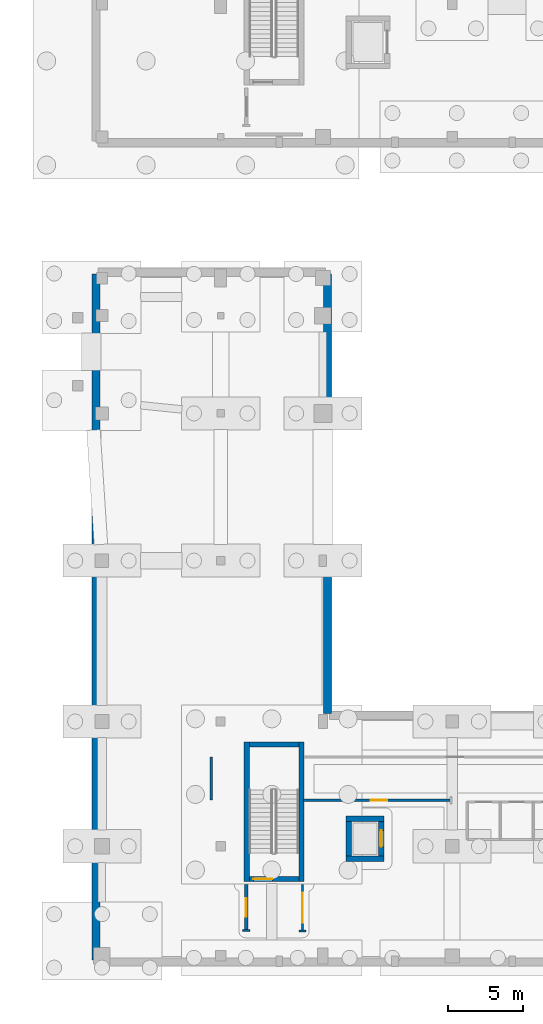
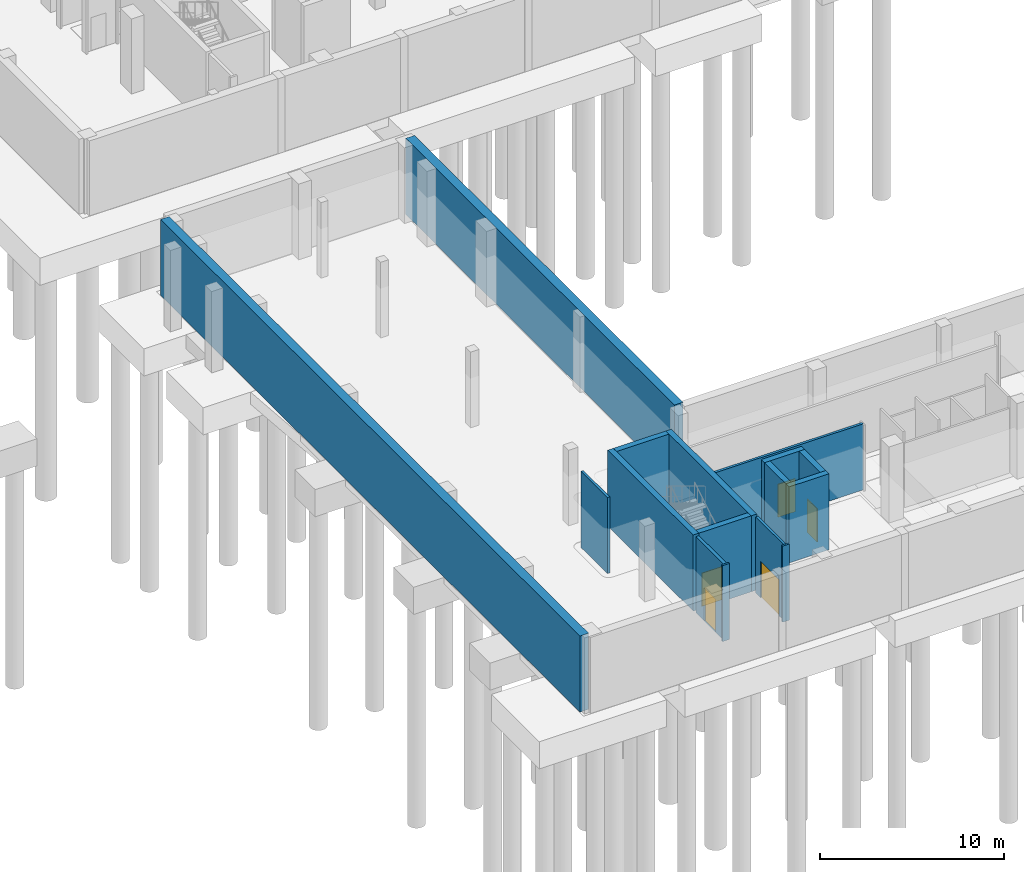
# One storey, part 11 of 33: 16 walls, 5 doors, 5 openings.
"""IFC4 building model written with IfcOpenShell, lengths in metres."""

import ifcopenshell
import ifcopenshell.guid

model = None  # the IFC model being written
_history = None  # IfcOwnerHistory: only IFC2X3 demands one
_inside = {}  # id of a spatial element -> (the spatial element, [elements in it])
_under = {}  # id of a project, library or spatial element -> (it, [spatial elements below it])
_declared = {}  # id of a project -> (the project, [libraries it declares])
_typed = {}  # id of a type object -> (the type object, [elements of that type])
_made_of = {}  # id of a material, layer set ... -> (it, [elements and type objects made of it])


def new_model(schema):
    """Start an empty IFC model of exactly this schema.

    Asked for "IFC4X3", IfcOpenShell would pick the latest addendum, in which some entities
    have other attributes; the version numbers below select the first issue.
    IFC2X3 requires an IfcOwnerHistory on every rooted entity: one is made here for all.
    """
    global model, _history
    if schema == "IFC4X3":
        model = ifcopenshell.file(schema_version=(4, 3, 0, 0))
    else:
        model = ifcopenshell.file(schema=schema)
    _inside.clear()
    _under.clear()
    _declared.clear()
    _typed.clear()
    _made_of.clear()
    _history = None
    if model.schema == "IFC2X3":
        org = make("IfcOrganization", Name="unknown")
        user = make(
            "IfcPersonAndOrganization",
            ThePerson=make("IfcPerson", FamilyName="unknown"),
            TheOrganization=org,
        )
        app = make(
            "IfcApplication",
            ApplicationDeveloper=org,
            Version="unknown",
            ApplicationFullName="unknown",
            ApplicationIdentifier="unknown",
        )
        _history = make(
            "IfcOwnerHistory",
            OwningUser=user,
            OwningApplication=app,
            ChangeAction="ADDED",
            CreationDate=0,
        )
    return model


def make(cls, **values):
    """One entity of the class cls with the attributes given. An attribute that is None is left unset."""
    return model.create_entity(
        cls, **{name: value for name, value in values.items() if value is not None}
    )


def rooted(cls, **values):
    """An entity with a GlobalId (a new one), such as an element, a storey or a relation."""
    return make(cls, GlobalId=ifcopenshell.guid.new(), OwnerHistory=_history, **values)


def si_unit(unit_type, name, prefix=None):
    """IfcSIUnit, for example si_unit("LENGTHUNIT", "METRE", prefix="MILLI")."""
    return make("IfcSIUnit", UnitType=unit_type, Prefix=prefix, Name=name)


def assignment(units):
    """IfcUnitAssignment: the units of a project."""
    return None if units is None else make("IfcUnitAssignment", Units=units)


def point(xyz):
    """IfcCartesianPoint."""
    return None if xyz is None else make("IfcCartesianPoint", Coordinates=xyz)


def direction(xyz):
    """IfcDirection."""
    return None if xyz is None else make("IfcDirection", DirectionRatios=xyz)


def frame(location, z_axis=None, x_axis=None):
    """IfcAxis2Placement3D, a coordinate frame: its origin and axes. An axis left out is left unset."""
    return make(
        "IfcAxis2Placement3D",
        Location=point(location),
        Axis=direction(z_axis),
        RefDirection=direction(x_axis),
    )


def frame_2d(location, x_axis=None):
    """IfcAxis2Placement2D, a coordinate frame in the plane: its origin and x axis."""
    return make(
        "IfcAxis2Placement2D", Location=point(location), RefDirection=direction(x_axis)
    )


def origin():
    """The frame at (0, 0, 0) with its axes left unset."""
    return frame((0.0, 0.0, 0.0))


def place(relative_to, where):
    """IfcLocalPlacement: puts the frame where relative to a parent placement (None: the world)."""
    return make(
        "IfcLocalPlacement", PlacementRelTo=relative_to, RelativePlacement=where
    )


def context(
    kind, dimensions, precision=None, world=None, true_north=None, identifier=None
):
    """IfcGeometricRepresentationContext, for example the 3D "Model" context."""
    return make(
        "IfcGeometricRepresentationContext",
        ContextIdentifier=identifier,
        ContextType=kind,
        CoordinateSpaceDimension=dimensions,
        Precision=precision,
        WorldCoordinateSystem=world,
        TrueNorth=true_north,
    )


def subcontext(parent, identifier, kind, view, scale=None):
    """IfcGeometricRepresentationSubContext, for example "Body" below "Model"."""
    return make(
        "IfcGeometricRepresentationSubContext",
        ContextIdentifier=identifier,
        ContextType=kind,
        ParentContext=parent,
        TargetScale=scale,
        TargetView=view,
    )


def project(units=None, contexts=None):
    """IfcProject with its units and contexts."""
    return rooted(
        "IfcProject",
        Name="project",
        RepresentationContexts=contexts,
        UnitsInContext=assignment(units),
    )


def spatial(cls, under=None, at=None, **own):
    """A site, building, storey or space (cls), placed at a placement, below another one or the project."""
    s = rooted(cls, ObjectPlacement=at, **own)
    if under is not None:
        _under.setdefault(under.id(), (under, []))[1].append(s)
    return s


def profile(cls, at=None, kind="AREA", **sizes):
    """A parametric profile (cls). Its sizes go by their IFC names, for example OverallWidth=200.0."""
    return make(cls, ProfileType=kind, Position=at, **sizes)


def rectangle(**sizes):
    """IfcRectangleProfileDef."""
    return profile("IfcRectangleProfileDef", **sizes)


def extrude(swept, where, along, depth):
    """IfcExtrudedAreaSolid: the profile swept, set in the frame where, extruded along a direction by depth."""
    return make(
        "IfcExtrudedAreaSolid",
        SweptArea=swept,
        Position=where,
        ExtrudedDirection=direction(along),
        Depth=depth,
    )


def shape(context_of_items, identifier, shape_type, items):
    """IfcShapeRepresentation: the items that make up one representation, for example the "Body"."""
    return make(
        "IfcShapeRepresentation",
        ContextOfItems=context_of_items,
        RepresentationIdentifier=identifier,
        RepresentationType=shape_type,
        Items=items,
    )


def material(Name=None, Category=None):
    """IfcMaterial."""
    return make("IfcMaterial", Name=Name, Category=Category)


def layer(
    of_material, thickness, ventilated=None, Name=None, Category=None, Priority=None
):
    """IfcMaterialLayer: one layer of a wall or slab, of a material (None: an air gap)."""
    return make(
        "IfcMaterialLayer",
        Material=of_material,
        LayerThickness=thickness,
        IsVentilated=ventilated,
        Name=Name,
        Category=Category,
        Priority=Priority,
    )


def layer_set(layers, Name=None):
    """IfcMaterialLayerSet."""
    return make("IfcMaterialLayerSet", MaterialLayers=layers, LayerSetName=Name)


def made_of(thing, what):
    """Note that an element or type object is made of a material, layer set ...; save() writes the relation."""
    if what is not None:
        _made_of.setdefault(what.id(), (what, []))[1].append(thing)
    return thing


def type_object(cls, material=None, **own):
    """A type object (cls), such as IfcWallType, which elements share."""
    return made_of(rooted(cls, **own), material)


def element(
    cls,
    number,
    at=None,
    inside=None,
    cuts=None,
    type_object=None,
    material=None,
    context=None,
    identifier="Body",
    shape_type=None,
    held_by="IfcProductDefinitionShape",
    body=None,
    shapes=None,
    **own,
):
    """One element of the class cls, such as IfcWall. Its Tag is "e" and its number.

    at: its placement. inside: the storey or other place that contains it. cuts: it is an
    opening in that element (IfcRelVoidsElement). A single representation is given by context,
    identifier, shape_type and body (its items); several are given by shapes. held_by: the class
    of the entity that holds the representations. save() writes the other relations.
    """
    e = rooted(cls, Tag="e%d" % number, ObjectPlacement=at, **own)
    if body is not None:
        shapes = [shape(context, identifier, shape_type, body)]
    if shapes is not None:
        e.Representation = make(held_by, Representations=shapes)
    if inside is not None:
        _inside.setdefault(inside.id(), (inside, []))[1].append(e)
    if cuts is not None:
        rooted(
            "IfcRelVoidsElement", RelatingBuildingElement=cuts, RelatedOpeningElement=e
        )
    if type_object is not None:
        _typed.setdefault(type_object.id(), (type_object, []))[1].append(e)
    return made_of(e, material)


def fill(opening, filler):
    """IfcRelFillsElement: the door or window that sits in an opening."""
    return rooted(
        "IfcRelFillsElement",
        RelatingOpeningElement=opening,
        RelatedBuildingElement=filler,
    )


def aggregate(whole, parts):
    """IfcRelAggregates: a whole, such as a stair, and the parts it consists of."""
    return rooted("IfcRelAggregates", RelatingObject=whole, RelatedObjects=parts)


def save(model, path):
    """Write the relations noted so far, then the file.

    IfcRelAggregates (storeys below a building ...), IfcRelContainedInSpatialStructure (elements
    in a storey), IfcRelDefinesByType, IfcRelAssociatesMaterial and IfcRelDeclares: one each for
    every whole, place, type object, material and project.
    """
    for whole, parts in _under.values():
        aggregate(whole, parts)
    for where, things in _inside.values():
        rooted(
            "IfcRelContainedInSpatialStructure",
            RelatedElements=things,
            RelatingStructure=where,
        )
    for kind, things in _typed.values():
        rooted("IfcRelDefinesByType", RelatedObjects=things, RelatingType=kind)
    for what, things in _made_of.values():
        rooted("IfcRelAssociatesMaterial", RelatedObjects=things, RelatingMaterial=what)
    for by, libraries in _declared.values():
        rooted("IfcRelDeclares", RelatingContext=by, RelatedDefinitions=libraries)
    model.write(path)


model = new_model("IFC4")

# Units and contexts
model_context = context("Model", 3, precision=1e-05, world=origin(), true_north=direction((0.0, 1.0)))
body_context = subcontext(model_context, "Body", "Model", "MODEL_VIEW")
ifc_project = project(units=[si_unit("LENGTHUNIT", "METRE"), si_unit("AREAUNIT", "SQUARE_METRE"), si_unit("VOLUMEUNIT", "CUBIC_METRE"), si_unit("PLANEANGLEUNIT", "RADIAN"), si_unit("MASSUNIT", "GRAM", prefix="KILO")], contexts=[model_context])

# Site, building, storey
site_placement = place(None, origin())
site = spatial("IfcSite", under=ifc_project, at=site_placement, CompositionType="ELEMENT")
building_placement = place(site_placement, origin())
building = spatial("IfcBuilding", under=site, at=building_placement, Name="Soyqirgoq Riverine Aquarium", CompositionType="ELEMENT")
storey_placement = place(building_placement, frame((0.0, 0.0, -5.39990234375)))
storey = spatial("IfcBuildingStorey", under=building, at=storey_placement, Name="B01", CompositionType="ELEMENT", Elevation=-5.39990234375)

# Walls
ifc_material_1 = material(Name="Concrete C40/50", Category="concrete")
ifc_layer_1 = layer(ifc_material_1, 0.35009765625)
ifc_layer_set_1 = layer_set([ifc_layer_1], Name="Concrete C40/50")
wall_type_1 = type_object("IfcWallType", Name="CoreShearWall_350_C40", PredefinedType="SHEAR", material=ifc_layer_set_1)
wall_1_placement = place(storey_placement, frame((127.97509765625, 7.14990234375, 0.0), z_axis=(0.0, 0.0, 1.0), x_axis=(0.0, 1.0, 0.0)))
element("IfcWall", 1, at=wall_1_placement, inside=storey, type_object=wall_type_1, Name="CORE-6 B01 Stair Core Shear Wall SIDE1", PredefinedType="SHEAR", context=body_context, shape_type="SweptSolid", body=[
    extrude(rectangle(XDim=9.300048828125, YDim=0.35009765625, at=frame_2d((4.64990234375, 0.0))), origin(), (0.0, 0.0, 1.0), 5.0498046875),
])
wall_2_placement = place(storey_placement, frame((127.800048828125, 16.27490234375, 0.0), z_axis=(0.0, 0.0, 1.0), x_axis=(-1.0, 0.0, 0.0)))
element("IfcWall", 2, at=wall_2_placement, inside=storey, type_object=wall_type_1, Name="CORE-6 B01 Stair Core Shear Wall BACK", PredefinedType="SHEAR", context=body_context, shape_type="SweptSolid", body=[
    extrude(rectangle(XDim=3.300048828125, YDim=0.35009765625, at=frame_2d((1.64990234375, 0.0))), origin(), (0.0, 0.0, 1.0), 5.0498046875),
])
wall_3_placement = place(storey_placement, frame((124.324951171875, 16.449951171875, 0.0), z_axis=(0.0, 0.0, 1.0), x_axis=(0.0, -1.0, 0.0)))
element("IfcWall", 3, at=wall_3_placement, inside=storey, type_object=wall_type_1, Name="CORE-6 B01 Stair Core Shear Wall SIDE2", PredefinedType="SHEAR", context=body_context, shape_type="SweptSolid", body=[
    extrude(rectangle(XDim=9.300048828125, YDim=0.35009765625, at=frame_2d((4.64990234375, 0.0))), origin(), (0.0, 0.0, 1.0), 5.0498046875),
])

# Wall, opening, door
wall_4_placement = place(storey_placement, frame((124.5, 7.324951171875, 0.0), z_axis=(0.0, 0.0, 1.0), x_axis=(1.0, 0.0, 0.0)))
wall_4 = element("IfcWall", 4, at=wall_4_placement, inside=storey, type_object=wall_type_1, Name="CORE-6 B01 Stair Core Shear Wall FRONT", PredefinedType="SHEAR", context=body_context, shape_type="SweptSolid", body=[
    extrude(rectangle(XDim=3.300048828125, YDim=0.35009765625, at=frame_2d((1.64990234375, 0.0))), origin(), (0.0, 0.0, 1.0), 5.0498046875),
])
opening_1_placement = place(wall_4_placement, frame((0.280029296875, 0.0, 0.0)))
opening_1 = element("IfcOpeningElement", 5, at=opening_1_placement, cuts=wall_4, Name="Opening FD-01", PredefinedType="OPENING", context=body_context, shape_type="SweptSolid", body=[
    extrude(rectangle(XDim=1.25, YDim=2.199951171875, at=frame_2d((0.625, 1.10009765625))), frame((0.0, 0.18505859375, 0.0), z_axis=(0.0, -1.0, 0.0), x_axis=(1.0, 0.0, 0.0)), (0.0, 0.0, 1.0), 0.3701171875),
])
ifc_material_2 = material(Name="Galvanised steel fire-resisting stair door", Category="steel")
door_type_1 = type_object("IfcDoorType", Name="StairFireDoor_1250x2200_EI90", OperationType="NOTDEFINED", PredefinedType="DOOR", material=ifc_material_2)
door_1_placement = place(opening_1_placement, origin())
door_1 = element("IfcDoor", 6, at=door_1_placement, inside=storey, type_object=door_type_1, Name="DR-ST-7-B01 ST-7 B01 Fire-Rated Stairwell Door", OperationType="SINGLE_SWING_LEFT", OverallHeight=2.199951171875, OverallWidth=1.25, PredefinedType="DOOR", context=body_context, shape_type="SweptSolid", body=[
    extrude(rectangle(XDim=1.25, YDim=2.199951171875, at=frame_2d((0.625, 1.10009765625))), frame((0.0, 0.02490234375, 0.0), z_axis=(0.0, -1.0, 0.0), x_axis=(1.0, 0.0, 0.0)), (0.0, 0.0, 1.0), 0.050048828125),
])
fill(opening_1, door_1)

# Wall
wall_5_placement = place(storey_placement, frame((130.945068359375, 8.669921875, 0.0), z_axis=(0.0, 0.0, 1.0), x_axis=(1.0, 0.0, 0.0)))
element("IfcWall", 7, at=wall_5_placement, inside=storey, type_object=wall_type_1, Name="Lift PL-4 Shaft Wall B01 1", PredefinedType="SHEAR", context=body_context, shape_type="SweptSolid", body=[
    extrude(rectangle(XDim=2.510009765625, YDim=0.35009765625, at=frame_2d((1.2548828125, 0.0))), origin(), (0.0, 0.0, 1.0), 5.0498046875),
])

# Wall, opening, door
wall_6_placement = place(storey_placement, frame((133.280029296875, 8.844970703125, 0.0), z_axis=(0.0, 0.0, 1.0), x_axis=(0.0, 1.0, 0.0)))
wall_6 = element("IfcWall", 8, at=wall_6_placement, inside=storey, type_object=wall_type_1, Name="Lift PL-4 Shaft Wall B01 2", PredefinedType="SHEAR", context=body_context, shape_type="SweptSolid", body=[
    extrude(rectangle(XDim=2.31005859375, YDim=0.35009765625, at=frame_2d((1.155029296875, 0.0))), origin(), (0.0, 0.0, 1.0), 5.0498046875),
])
opening_2_placement = place(wall_6_placement, frame((0.60498046875, 0.0, 0.0)))
opening_2 = element("IfcOpeningElement", 9, at=opening_2_placement, cuts=wall_6, Name="Opening LD-01", PredefinedType="OPENING", context=body_context, shape_type="SweptSolid", body=[
    extrude(rectangle(XDim=1.10009765625, YDim=2.199951171875, at=frame_2d((0.550048828125, 1.10009765625))), frame((0.0, 0.18505859375, 0.0), z_axis=(0.0, -1.0, 0.0), x_axis=(1.0, 0.0, 0.0)), (0.0, 0.0, 1.0), 0.3701171875),
])
ifc_material_3 = material(Name="Brushed stainless steel telescopic lift landing door", Category="steel")
door_type_2 = type_object("IfcDoorType", Name="LiftLandingDoor_1100x2200", OperationType="SLIDING_TO_LEFT", PredefinedType="DOOR", material=ifc_material_3)
door_2_placement = place(opening_2_placement, origin())
door_2 = element("IfcDoor", 10, at=door_2_placement, inside=storey, type_object=door_type_2, Name="LD-PL-4-B01 Lift PL-4 B01 Sliding Landing Door", OperationType="SLIDING_TO_LEFT", OverallHeight=2.199951171875, OverallWidth=1.10009765625, PredefinedType="DOOR", context=body_context, shape_type="SweptSolid", body=[
    extrude(rectangle(XDim=1.10009765625, YDim=2.199951171875, at=frame_2d((0.550048828125, 1.10009765625))), frame((0.0, 0.02490234375, 0.0), z_axis=(0.0, -1.0, 0.0), x_axis=(1.0, 0.0, 0.0)), (0.0, 0.0, 1.0), 0.050048828125),
])
fill(opening_2, door_2)

# Walls
wall_7_placement = place(storey_placement, frame((133.455078125, 11.330078125, 0.0), z_axis=(0.0, 0.0, 1.0), x_axis=(-1.0, 0.0, 0.0)))
element("IfcWall", 11, at=wall_7_placement, inside=storey, type_object=wall_type_1, Name="Lift PL-4 Shaft Wall B01 3", PredefinedType="SHEAR", context=body_context, shape_type="SweptSolid", body=[
    extrude(rectangle(XDim=2.510009765625, YDim=0.35009765625, at=frame_2d((1.2548828125, 0.0))), origin(), (0.0, 0.0, 1.0), 5.0498046875),
])
wall_8_placement = place(storey_placement, frame((131.1201171875, 11.155029296875, 0.0), z_axis=(0.0, 0.0, 1.0), x_axis=(0.0, -1.0, 0.0)))
element("IfcWall", 12, at=wall_8_placement, inside=storey, type_object=wall_type_1, Name="Lift PL-4 Shaft Wall B01 4", PredefinedType="SHEAR", context=body_context, shape_type="SweptSolid", body=[
    extrude(rectangle(XDim=2.31005859375, YDim=0.35009765625, at=frame_2d((1.155029296875, 0.0))), origin(), (0.0, 0.0, 1.0), 5.0498046875),
])
ifc_material_4 = material(Name="Lightweight steel-stud gypsum partition", Category="steel")
ifc_layer_2 = layer(ifc_material_4, 0.1201171875)
ifc_layer_set_2 = layer_set([ifc_layer_2], Name="Lightweight steel-stud gypsum partition")
wall_type_2 = type_object("IfcWallType", Name="PartitionWall_120_Std", PredefinedType="PARTITIONING", material=ifc_layer_set_2)
for number, where, z_axis, x_axis, name in (
    (13, (124.080078125, 3.89990234375, 0.0), (0.0, 0.0, 1.0), (1.0, 0.0, 0.0), "V6 B01 Jamb Return Pier"),
    (14, (127.820068359375, 3.860107421875, 0.0), (0.0, 0.0, 1.0), (1.0, 0.0, 0.0), "V6 B01 Jamb Return Pier"),
):
    element("IfcWall", number, at=place(storey_placement, frame(where, z_axis=z_axis, x_axis=x_axis)), inside=storey, type_object=wall_type_2, Name=name, PredefinedType="PARTITIONING", context=body_context, shape_type="SweptSolid", body=[
        extrude(rectangle(XDim=0.43994140625, YDim=0.1201171875, at=frame_2d((0.219970703125, 0.0))), origin(), (0.0, 0.0, 1.0), 5.0498046875),
    ])

# Wall, opening, door
ifc_material_5 = material(Name="Fire-rated acoustic gypsum stud partition", Category="gypsum")
ifc_layer_3 = layer(ifc_material_5, 0.159912109375)
ifc_layer_set_3 = layer_set([ifc_layer_3], Name="Fire-rated acoustic gypsum stud partition")
wall_type_3 = type_object("IfcWallType", Name="PartitionWall_160_EI60", PredefinedType="PARTITIONING", material=ifc_layer_set_3)
wall_9_placement = place(storey_placement, frame((137.919921875, 12.56005859375, 0.0), z_axis=(0.0, 0.0, 1.0), x_axis=(-1.0, 0.0, 0.0)))
wall_9 = element("IfcWall", 15, at=wall_9_placement, inside=storey, type_object=wall_type_3, Name="Stagecraft Technical Workshop Partition Wall", PredefinedType="PARTITIONING", context=body_context, shape_type="SweptSolid", body=[
    extrude(rectangle(XDim=9.824951171875, YDim=0.159912109375, at=frame_2d((4.91259765625, 0.0))), origin(), (0.0, 0.0, 1.0), 4.389892578125),
])
opening_3_placement = place(wall_9_placement, frame((4.235107421875, 0.0, 0.0)))
opening_3 = element("IfcOpeningElement", 16, at=opening_3_placement, cuts=wall_9, Name="Opening ID-04", PredefinedType="OPENING", context=body_context, shape_type="SweptSolid", body=[
    extrude(rectangle(XDim=1.10009765625, YDim=2.199951171875, at=frame_2d((0.550048828125, 1.10009765625))), frame((0.0, 0.08984375, 0.0), z_axis=(0.0, -1.0, 0.0), x_axis=(1.0, 0.0, 0.0)), (0.0, 0.0, 1.0), 0.179931640625),
])
ifc_material_6 = material(Name="Chemical-resistant HPL fire-rated laboratory door", Category="wood")
door_type_3 = type_object("IfcDoorType", Name="LabDoor_1100x2200_EI60", OperationType="NOTDEFINED", PredefinedType="DOOR", material=ifc_material_6)
door_3_placement = place(opening_3_placement, origin())
door_3 = element("IfcDoor", 17, at=door_3_placement, inside=storey, type_object=door_type_3, Name="IDR-V6-B01-0176 Education Basement Corridor Door", OperationType="SINGLE_SWING_LEFT", OverallHeight=2.199951171875, OverallWidth=1.10009765625, PredefinedType="DOOR", context=body_context, shape_type="SweptSolid", body=[
    extrude(rectangle(XDim=1.10009765625, YDim=2.199951171875, at=frame_2d((0.550048828125, 1.10009765625))), frame((0.0, 0.02490234375, 0.0), z_axis=(0.0, -1.0, 0.0), x_axis=(1.0, 0.0, 0.0)), (0.0, 0.0, 1.0), 0.050048828125),
])
fill(opening_3, door_3)

wall_10_placement = place(storey_placement, frame((128.0400390625, 6.949951171875, 0.0), z_axis=(0.0, 0.0, 1.0), x_axis=(0.0, -1.0, 0.0)))
wall_10 = element("IfcWall", 18, at=wall_10_placement, inside=storey, type_object=wall_type_3, Name="Stagecraft Technical Workshop Partition Wall", PredefinedType="PARTITIONING", context=body_context, shape_type="SweptSolid", body=[
    extrude(rectangle(XDim=3.08984375, YDim=0.159912109375, at=frame_2d((1.544921875, 0.0))), origin(), (0.0, 0.0, 1.0), 5.0498046875),
])
opening_4_placement = place(wall_10_placement, frame((0.544921875, 0.0, 0.0)))
opening_4 = element("IfcOpeningElement", 19, at=opening_4_placement, cuts=wall_10, Name="Opening ID-02", PredefinedType="OPENING", context=body_context, shape_type="SweptSolid", body=[
    extrude(rectangle(XDim=2.0, YDim=2.39990234375, at=frame_2d((1.0, 1.199951171875))), frame((0.0, 0.08984375, 0.0), z_axis=(0.0, -1.0, 0.0), x_axis=(1.0, 0.0, 0.0)), (0.0, 0.0, 1.0), 0.179931640625),
])
ifc_material_7 = material(Name="Acoustic solid oak auditorium double door", Category="wood")
door_type_4 = type_object("IfcDoorType", Name="AuditoriumDoubleDoor_2000x2400", OperationType="DOUBLE_DOOR_DOUBLE_SWING", PredefinedType="DOOR", material=ifc_material_7)
door_4_placement = place(opening_4_placement, origin())
door_4 = element("IfcDoor", 20, at=door_4_placement, inside=storey, type_object=door_type_4, Name="IDR-V6-B01-0177 Stagecraft Technical Workshop Door", OperationType="DOUBLE_DOOR_DOUBLE_SWING", OverallHeight=2.39990234375, OverallWidth=2.0, PredefinedType="DOOR", context=body_context, shape_type="SweptSolid", body=[
    extrude(rectangle(XDim=2.0, YDim=2.39990234375, at=frame_2d((1.0, 1.199951171875))), frame((0.0, 0.02490234375, 0.0), z_axis=(0.0, -1.0, 0.0), x_axis=(1.0, 0.0, 0.0)), (0.0, 0.0, 1.0), 0.050048828125),
])
fill(opening_4, door_4)

# Wall
wall_11_placement = place(storey_placement, frame((121.9599609375, 12.56005859375, 0.0), z_axis=(0.0, 0.0, 1.0), x_axis=(0.0, 1.0, 0.0)))
element("IfcWall", 21, at=wall_11_placement, inside=storey, type_object=wall_type_3, Name="Stagecraft Technical Workshop Partition Wall", PredefinedType="PARTITIONING", context=body_context, shape_type="SweptSolid", body=[
    extrude(rectangle(XDim=2.8798828125, YDim=0.159912109375, at=frame_2d((1.43994140625, 0.0))), origin(), (0.0, 0.0, 1.0), 5.0498046875),
])

# Wall, opening, door
ifc_material_8 = material(Name="Fire-rated calcium silicate twin-stud partition", Category="gypsum")
ifc_layer_4 = layer(ifc_material_8, 0.199951171875)
ifc_layer_set_4 = layer_set([ifc_layer_4], Name="Fire-rated calcium silicate twin-stud partition")
wall_type_4 = type_object("IfcWallType", Name="PartitionWall_200_EI90", PredefinedType="PARTITIONING", material=ifc_layer_set_4)
wall_12_placement = place(storey_placement, frame((124.300048828125, 6.949951171875, 0.0), z_axis=(0.0, 0.0, 1.0), x_axis=(0.0, -1.0, 0.0)))
wall_12 = element("IfcWall", 22, at=wall_12_placement, inside=storey, type_object=wall_type_4, Name="Lift and Stair Lobby ST-7 Fire Enclosure Wall", PredefinedType="PARTITIONING", context=body_context, shape_type="SweptSolid", body=[
    extrude(rectangle(XDim=3.050048828125, YDim=0.199951171875, at=frame_2d((1.52490234375, 0.0))), origin(), (0.0, 0.0, 1.0), 5.0498046875),
])
opening_5_placement = place(wall_12_placement, frame((0.89990234375, 0.0, 0.0)))
opening_5 = element("IfcOpeningElement", 23, at=opening_5_placement, cuts=wall_12, Name="Opening FD-01", PredefinedType="OPENING", context=body_context, shape_type="SweptSolid", body=[
    extrude(rectangle(XDim=1.25, YDim=2.199951171875, at=frame_2d((0.625, 1.10009765625))), frame((0.0, 0.10986328125, 0.0), z_axis=(0.0, -1.0, 0.0), x_axis=(1.0, 0.0, 0.0)), (0.0, 0.0, 1.0), 0.219970703125),
])
door_5_placement = place(opening_5_placement, origin())
door_5 = element("IfcDoor", 24, at=door_5_placement, inside=storey, type_object=door_type_1, Name="IDR-V6-B01-0174 Lift and Stair Lobby ST-7 Egress Fire Door", OperationType="SINGLE_SWING_LEFT", OverallHeight=2.199951171875, OverallWidth=1.25, PredefinedType="DOOR", context=body_context, shape_type="SweptSolid", body=[
    extrude(rectangle(XDim=1.25, YDim=2.199951171875, at=frame_2d((0.625, 1.10009765625))), frame((0.0, 0.02490234375, 0.0), z_axis=(0.0, -1.0, 0.0), x_axis=(1.0, 0.0, 0.0)), (0.0, 0.0, 1.0), 0.050048828125),
])
fill(opening_5, door_5)

# Walls
ifc_material_9 = material(Name="Concrete C35/45", Category="concrete")
ifc_layer_5 = layer(ifc_material_9, 0.550048828125)
ifc_layer_set_5 = layer_set([ifc_layer_5], Name="Concrete C35/45")
wall_type_5 = type_object("IfcWallType", Name="RetainingWall_550_C35", PredefinedType="USERDEFINED", material=ifc_layer_set_5)
wall_13_placement = place(storey_placement, frame((114.300048828125, 1.9375, 0.0), z_axis=(0.0, 0.0, 1.0), x_axis=(0.0, 1.0, 0.0)))
element("IfcWall", 25, at=wall_13_placement, inside=storey, type_object=wall_type_5, Name="V6 B01 Perimeter Retaining Wall 100", ObjectType="RETAININGWALL", PredefinedType="USERDEFINED", context=body_context, shape_type="SweptSolid", body=[
    extrude(rectangle(XDim=45.625, YDim=0.550048828125, at=frame_2d((22.8125, 0.0))), origin(), (0.0, 0.0, 1.0), 5.0498046875),
])
wall_14_placement = place(storey_placement, frame((129.699951171875, 47.5625, 0.0), z_axis=(0.0, 0.0, 1.0), x_axis=(0.0, -1.0, 0.0)))
element("IfcWall", 26, at=wall_14_placement, inside=storey, type_object=wall_type_5, Name="V6 B01 Perimeter Retaining Wall 102", ObjectType="RETAININGWALL", PredefinedType="USERDEFINED", context=body_context, shape_type="SweptSolid", body=[
    extrude(rectangle(XDim=29.22509765625, YDim=0.550048828125, at=frame_2d((14.612548828125, 0.0))), origin(), (0.0, 0.0, 1.0), 5.0498046875),
])

save(model, "model.ifc")
